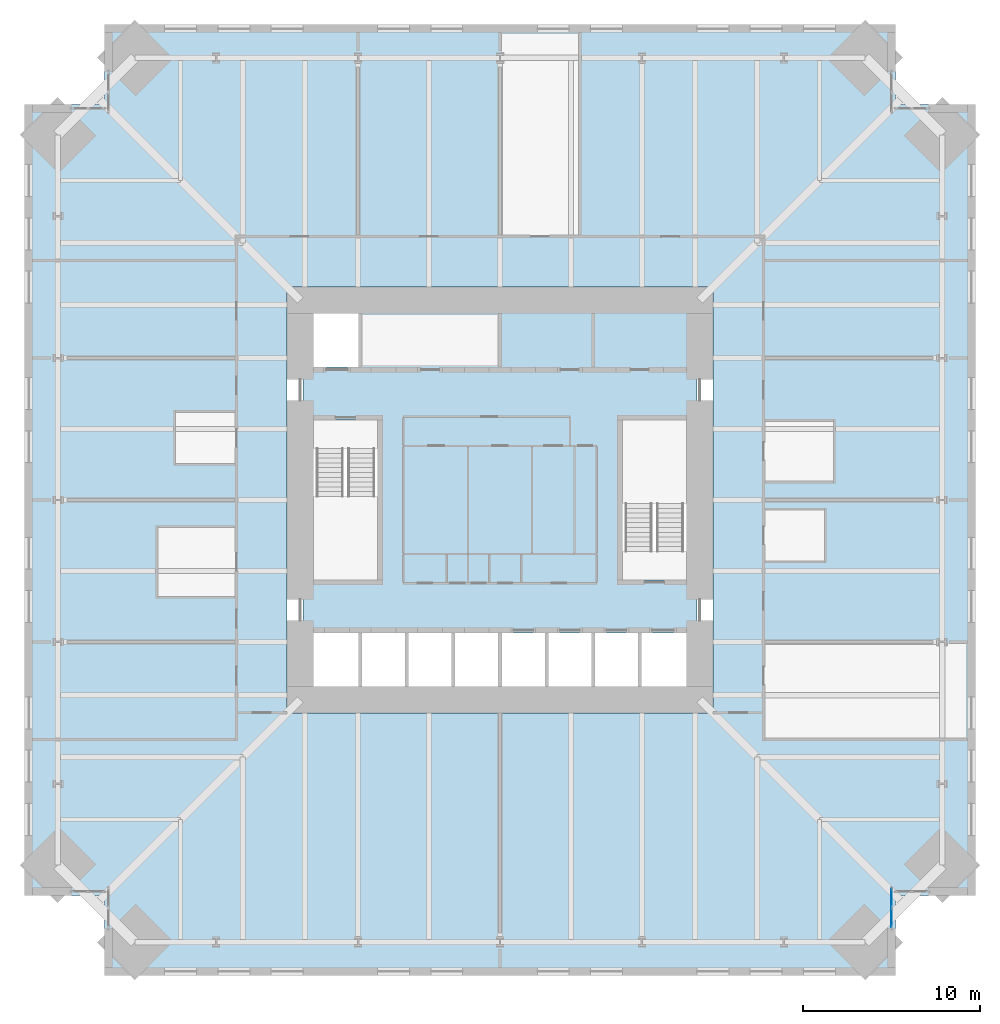
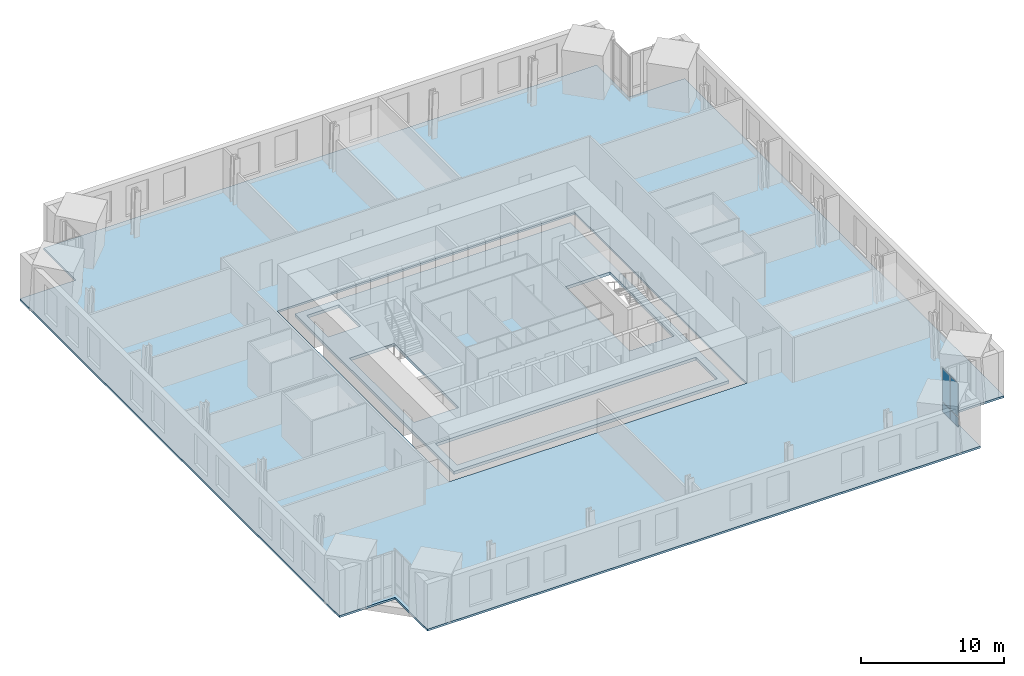
# One storey, part 10 of 17: 4 plates, 2 slabs, 1 element without a shape of its own.
"""IFC4 building model written with IfcOpenShell, lengths in metres."""

from ifc_helpers import new_model, si_unit, direction, frame, origin, origin_2d, place, context, subcontext, project, spatial, polyline, rectangle, outline, extrude, material, layer, layer_set, type_object, element, aggregate, save


model = new_model("IFC4")

# Units and contexts
model_context = context("Model", 3, precision=1e-05, world=origin(), true_north=direction((0.0, 1.0)))
body_context = subcontext(model_context, "Body", "Model", "MODEL_VIEW")
ifc_project = project(units=[si_unit("LENGTHUNIT", "METRE"), si_unit("AREAUNIT", "SQUARE_METRE"), si_unit("VOLUMEUNIT", "CUBIC_METRE"), si_unit("PLANEANGLEUNIT", "RADIAN"), si_unit("MASSUNIT", "GRAM", prefix="KILO")], contexts=[model_context])

# Site, building, storey
site_placement = place(None, origin())
site = spatial("IfcSite", under=ifc_project, at=site_placement, CompositionType="ELEMENT")
building_placement = place(site_placement, origin())
building = spatial("IfcBuilding", under=site, at=building_placement, Name="Peilmerk Tower", CompositionType="ELEMENT")
storey_placement = place(building_placement, frame((0.0, 0.0, 147.800048828125)))
storey = spatial("IfcBuildingStorey", under=building, at=storey_placement, Name="L30", CompositionType="ELEMENT", Elevation=147.800048828125)

# Slab
ifc_material_1 = material(Name="Concrete C55/67", Category="concrete")
ifc_layer_1 = layer(ifc_material_1, 0.25)
ifc_layer_set_1 = layer_set([ifc_layer_1], Name="Concrete C55/67")
slab_type_1 = type_object("IfcSlabType", Name="CS250 250 core floor slab", PredefinedType="FLOOR", material=ifc_layer_set_1)
slab_1_placement = place(storey_placement, frame((0.0, 0.0, -0.25)))
element("IfcSlab", 1, at=slab_1_placement, inside=storey, type_object=slab_type_1, Name="Core slab L30", PredefinedType="FLOOR", context=body_context, shape_type="SweptSolid", body=[
    extrude(outline(polyline([(11.10009765625, 11.10009765625), (-11.10009765625, 11.10009765625), (-11.10009765625, -11.10009765625), (11.10009765625, -11.10009765625), (11.10009765625, 11.10009765625)]), holes=[polyline([(-10.5, 7.5), (-10.5, 10.5), (-7.875, 10.5), (-7.875, 7.5), (-10.5, 7.5)]), polyline([(-10.5, -10.5), (-10.5, -7.5), (10.5, -7.5), (10.5, -10.5), (-10.5, -10.5)]), polyline([(-10.5, 4.5), (-6.89990234375, 4.5), (-6.89990234375, -4.5), (-10.5, -4.5), (-10.5, 4.5)]), polyline([(10.5, 4.5), (10.5, -4.5), (6.89990234375, -4.5), (6.89990234375, 4.5), (10.5, 4.5)])]), origin(), (0.0, 0.0, 1.0), 0.25),
])

# Curtain wall, plates
ifc_material_2 = material(Name="Aluminium stick curtain wall", Category="aluminium")
curtain_wall_type = type_object("IfcCurtainWallType", Name="CW3 stick curtain wall, 2250 module", PredefinedType="NOTDEFINED", material=ifc_material_2)
curtain_wall_placement = place(storey_placement, origin())
curtain_wall = element("IfcCurtainWall", 2, at=curtain_wall_placement, inside=storey, type_object=curtain_wall_type, Name="Curtain wall CW3 SEA L30", PredefinedType="NOTDEFINED")
ifc_material_3 = material(Name="Clear insulated glazing unit", Category="glass")
ifc_layer_2 = layer(ifc_material_3, 0.028076171875)
ifc_layer_set_2 = layer_set([ifc_layer_2], Name="Clear insulated glazing unit")
plate_type = type_object("IfcPlateType", Name="CW3-P 28 glazed panel", PredefinedType="CURTAIN_PANEL", material=ifc_layer_set_2)
plate_1_placement = place(storey_placement, frame((22.074951171875, -22.4384765625, 0.06494140625), z_axis=(0.0, 0.0, 1.0), x_axis=(0.0, -1.0, 0.0)))
plate_1 = element("IfcPlate", 3, at=plate_1_placement, type_object=plate_type, Name="CW3 panel 1.1", PredefinedType="CURTAIN_PANEL", context=body_context, shape_type="SweptSolid", body=[
    extrude(rectangle(XDim=1.046875, YDim=0.028076171875, at=origin_2d()), origin(), (0.0, 0.0, 1.0), 0.802490234375),
])
plate_2_placement = place(storey_placement, frame((22.074951171875, -22.4384765625, 0.932373046875), z_axis=(0.0, 0.0, 1.0), x_axis=(0.0, -1.0, 0.0)))
plate_2 = element("IfcPlate", 4, at=plate_2_placement, type_object=plate_type, Name="CW3 panel 1.2", PredefinedType="CURTAIN_PANEL", context=body_context, shape_type="SweptSolid", body=[
    extrude(rectangle(XDim=1.046875, YDim=0.028076171875, at=origin_2d()), origin(), (0.0, 0.0, 1.0), 2.83251953125),
])
plate_3_placement = place(storey_placement, frame((22.074951171875, -23.55029296875, 0.06494140625), z_axis=(0.0, 0.0, 1.0), x_axis=(0.0, -1.0, 0.0)))
plate_3 = element("IfcPlate", 5, at=plate_3_placement, type_object=plate_type, Name="CW3 panel 2.1", PredefinedType="CURTAIN_PANEL", context=body_context, shape_type="SweptSolid", body=[
    extrude(rectangle(XDim=1.046875, YDim=0.028076171875, at=origin_2d()), origin(), (0.0, 0.0, 1.0), 0.802490234375),
])
plate_4_placement = place(storey_placement, frame((22.074951171875, -23.55029296875, 0.932373046875), z_axis=(0.0, 0.0, 1.0), x_axis=(0.0, -1.0, 0.0)))
plate_4 = element("IfcPlate", 6, at=plate_4_placement, type_object=plate_type, Name="CW3 panel 2.2", PredefinedType="CURTAIN_PANEL", context=body_context, shape_type="SweptSolid", body=[
    extrude(rectangle(XDim=1.046875, YDim=0.028076171875, at=origin_2d()), origin(), (0.0, 0.0, 1.0), 2.83251953125),
])
aggregate(curtain_wall, [plate_1, plate_2, plate_3, plate_4])

# Slab
ifc_material_4 = material(Name="Concrete C35/45", Category="concrete")
ifc_layer_3 = layer(ifc_material_4, 0.169921875)
ifc_layer_set_3 = layer_set([ifc_layer_3], Name="Concrete C35/45")
slab_type_2 = type_object("IfcSlabType", Name="FS170 170 composite floor slab", PredefinedType="FLOOR", material=ifc_layer_set_3)
slab_2_placement = place(storey_placement, frame((0.0, 0.0, -0.170166015625)))
element("IfcSlab", 7, at=slab_2_placement, inside=storey, type_object=slab_type_2, Name="Floor slab L30", PredefinedType="FLOOR", context=body_context, shape_type="SweptSolid", body=[
    extrude(outline(polyline([(-22.300048828125, -26.800048828125), (22.300048828125, -26.800048828125), (22.300048828125, -22.300048828125), (26.800048828125, -22.300048828125), (26.800048828125, 22.300048828125), (22.300048828125, 22.300048828125), (22.300048828125, 26.800048828125), (-22.300048828125, 26.800048828125), (-22.300048828125, 22.300048828125), (-26.800048828125, 22.300048828125), (-26.800048828125, -22.300048828125), (-22.300048828125, -22.300048828125), (-22.300048828125, -26.800048828125)]), holes=[polyline([(12.0, 12.0), (12.0, -12.0), (-12.0, -12.0), (-12.0, 12.0), (12.0, 12.0)])]), origin(), (0.0, 0.0, 1.0), 0.170166015625),
])

save(model, "model.ifc")
